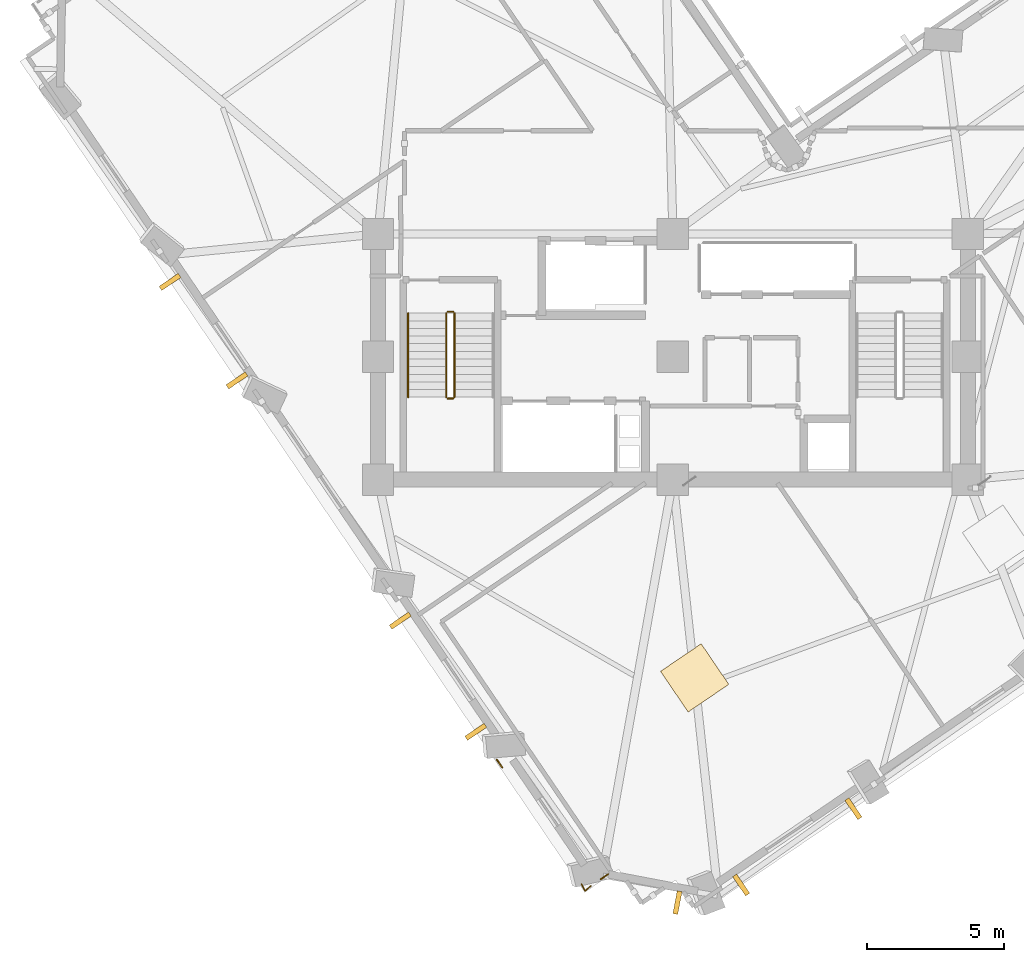
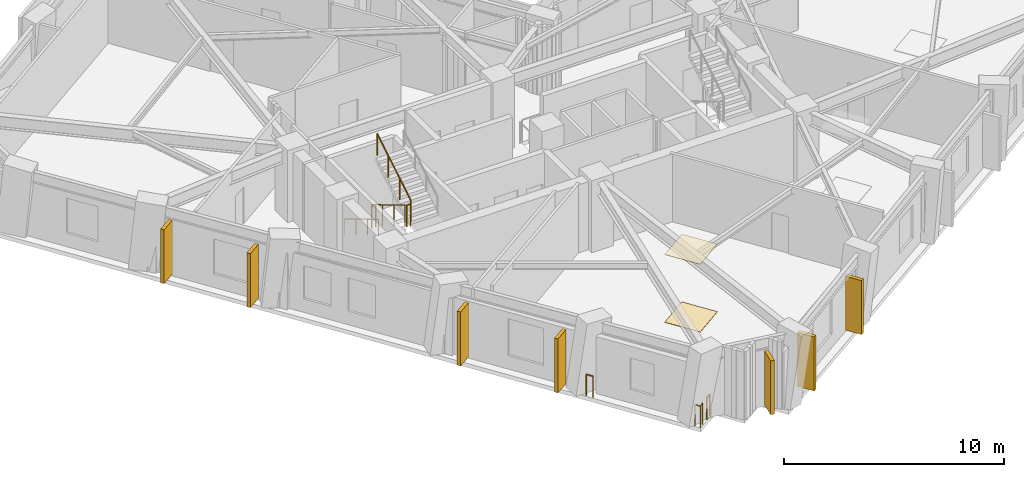
# One storey, part 12 of 16: 8 railings, 7 shading devices, 2 coverings.
"""IFC4 building model written with IfcOpenShell, lengths in metres."""

from ifc_helpers import new_model, si_unit, direction, frame, origin, origin_2d, place, context, subcontext, project, spatial, rectangle, circle, extrude, material, layer, layer_set, type_object, element, save


model = new_model("IFC4")

# Units and contexts
model_context = context("Model", 3, precision=1e-05, world=origin(), true_north=direction((0.0, 1.0)))
body_context = subcontext(model_context, "Body", "Model", "MODEL_VIEW")
ifc_project = project(units=[si_unit("LENGTHUNIT", "METRE"), si_unit("AREAUNIT", "SQUARE_METRE"), si_unit("VOLUMEUNIT", "CUBIC_METRE"), si_unit("PLANEANGLEUNIT", "RADIAN"), si_unit("MASSUNIT", "GRAM", prefix="KILO")], contexts=[model_context])

# Site, building, storey
site_placement = place(None, origin())
site = spatial("IfcSite", under=ifc_project, at=site_placement, CompositionType="ELEMENT")
building_placement = place(site_placement, origin())
building = spatial("IfcBuilding", under=site, at=building_placement, Name="Gaonmaruhae Medical Tower", CompositionType="ELEMENT")
storey_placement = place(building_placement, frame((0.0, 0.0, 169.800048828125)))
storey = spatial("IfcBuildingStorey", under=building, at=storey_placement, Name="L40", CompositionType="ELEMENT", Elevation=169.800048828125)

# Coverings
ifc_material_1 = material(Name="Acoustic mineral ceiling tile", Category="finish")
ifc_layer_1 = layer(ifc_material_1, 0.02490234375)
ifc_layer_set_1 = layer_set([ifc_layer_1], Name="Acoustic mineral ceiling tile")
covering_type_1 = type_object("IfcCoveringType", Name="CLG-01 Antimicrobial Acoustic Mineral Ceiling", PredefinedType="CEILING", material=ifc_layer_set_1)
covering_1_placement = place(storey_placement, frame((25.59619140625, 0.54150390625, 3.7548828125), z_axis=(0.0, 0.0, 1.0), x_axis=(0.827080574275, 0.562083377852, 0.0)))
element("IfcCovering", 1, at=covering_1_placement, inside=storey, type_object=covering_type_1, Name="L40 Clinical Room Acoustic Ceiling 2", PredefinedType="CEILING", context=body_context, shape_type="SweptSolid", body=[
    extrude(rectangle(XDim=1.800048828125, YDim=1.800048828125, at=origin_2d()), origin(), (0.0, 0.0, 1.0), 0.02490234375),
])
ifc_material_2 = material(Name="Seamless clinical vinyl flooring", Category="finish")
ifc_layer_2 = layer(ifc_material_2, 0.014892578125)
ifc_layer_set_2 = layer_set([ifc_layer_2], Name="Seamless clinical vinyl flooring")
covering_type_2 = type_object("IfcCoveringType", Name="FLR-01 Seamless Clinical Antistatic Vinyl Flooring", PredefinedType="FLOORING", material=ifc_layer_set_2)
covering_2_placement = place(storey_placement, frame((25.59619140625, 0.54150390625, 0.0), z_axis=(0.0, 0.0, 1.0), x_axis=(0.827080574275, 0.562083377852, 0.0)))
element("IfcCovering", 2, at=covering_2_placement, inside=storey, type_object=covering_type_2, Name="L40 Clinical Room Vinyl Flooring 2", PredefinedType="FLOORING", context=body_context, shape_type="SweptSolid", body=[
    extrude(rectangle(XDim=1.800048828125, YDim=1.800048828125, at=origin_2d()), origin(), (0.0, 0.0, 1.0), 0.014892578125),
])

# Railings
ifc_material_3 = material(Name="Stainless steel 316L and laminated safety glass", Category="steel")
ifc_layer_3 = layer(ifc_material_3, 0.080078125)
ifc_layer_set_3 = layer_set([ifc_layer_3], Name="Stainless steel 316L and laminated safety glass")
railing_type_1 = type_object("IfcRailingType", Name="GD-120 Outdoor Terrace Safety Glass & Steel Balustrade", PredefinedType="BALUSTRADE", material=ifc_layer_set_3)
railing_1_placement = place(storey_placement, frame((22.4248046875, -6.649658203125, 0.0)))
element("IfcRailing", 3, at=railing_1_placement, inside=storey, type_object=railing_type_1, Name="L40 Perimeter Slab Edge Safety Balustrade 03", PredefinedType="BALUSTRADE", context=body_context, shape_type="SweptSolid", body=[
    extrude(circle(Radius=0.02392578125, at=origin_2d()), frame((0.0, 0.0, 1.17578125), z_axis=(-0.82695431478, -0.562269118187, 0.0), x_axis=(0.562269118187, -0.82695431478, 0.0)), (0.0, 0.0, 1.0), 0.326416015625),
    extrude(circle(Radius=0.02099609375, at=origin_2d()), origin(), (0.0, 0.0, 1.0), 1.15185546875),
    extrude(circle(Radius=0.02099609375, at=origin_2d()), frame((-0.27001953125, -0.18359375, 0.0)), (0.0, 0.0, 1.0), 1.15185546875),
])
railing_2_placement = place(storey_placement, frame((18.5458984375, -2.73876953125, 0.0)))
element("IfcRailing", 4, at=railing_2_placement, inside=storey, type_object=railing_type_1, Name="L40 Perimeter Slab Edge Safety Balustrade 04", PredefinedType="BALUSTRADE", context=body_context, shape_type="SweptSolid", body=[
    extrude(circle(Radius=0.02392578125, at=origin_2d()), frame((0.0, 0.0, 1.17578125), z_axis=(-0.562310021407, 0.82692650207, 0.0), x_axis=(-0.82692650207, -0.562310021407, 0.0)), (0.0, 0.0, 1.0), 0.339599609375),
    extrude(circle(Radius=0.02099609375, at=origin_2d()), origin(), (0.0, 0.0, 1.0), 1.15185546875),
    extrude(circle(Radius=0.02099609375, at=origin_2d()), frame((-0.19091796875, 0.28076171875, 0.0)), (0.0, 0.0, 1.0), 1.15185546875),
])
railing_3_placement = place(storey_placement, frame((21.79638671875, -7.07666015625, 0.0)))
element("IfcRailing", 5, at=railing_3_placement, inside=storey, type_object=railing_type_1, Name="L40 Perimeter Corner Safety Balustrade 08", PredefinedType="BALUSTRADE", context=body_context, shape_type="SweptSolid", body=[
    extrude(circle(Radius=0.02392578125, at=origin_2d()), frame((0.0, 0.0, 1.17578125), z_axis=(-0.752313338045, -0.65880546552, 0.0), x_axis=(0.65880546552, -0.752313338045, 0.0)), (0.0, 0.0, 1.0), 0.287109375),
    extrude(circle(Radius=0.02392578125, at=origin_2d()), frame((-0.216064453125, -0.189208984375, 1.17578125), z_axis=(-0.457386431333, 0.889268043074, 0.0), x_axis=(-0.889268043074, -0.457386431333, 0.0)), (0.0, 0.0, 1.0), 0.287109375),
    extrude(circle(Radius=0.02099609375, at=origin_2d()), origin(), (0.0, 0.0, 1.0), 1.15185546875),
    extrude(circle(Radius=0.02099609375, at=origin_2d()), frame((-0.216064453125, -0.189208984375, 0.0)), (0.0, 0.0, 1.0), 1.15185546875),
    extrude(circle(Radius=0.02099609375, at=origin_2d()), frame((-0.347412109375, 0.066162109375, 0.0)), (0.0, 0.0, 1.0), 1.15185546875),
])
ifc_material_4 = material(Name="Stainless steel 304 handrail", Category="steel")
railing_type_2 = type_object("IfcRailingType", Name="HR-092 Continuous Stainless Steel Stair Handrail", PredefinedType="HANDRAIL", material=ifc_material_4)
railing_4_placement = place(storey_placement, frame((15.10009765625, 13.89990234375, 0.16650390625)))
element("IfcRailing", 6, at=railing_4_placement, inside=storey, type_object=railing_type_2, Name="L40 ST-01 stair handrail 1", PredefinedType="HANDRAIL", context=body_context, shape_type="SweptSolid", body=[
    extrude(circle(Radius=0.02392578125, at=origin_2d()), frame((0.0, 0.0, 0.8759765625), z_axis=(0.0, -0.859260807169, 0.511537745687), x_axis=(1.0, 0.0, 0.0)), (0.0, 0.0, 1.0), 3.584228515625),
    extrude(circle(Radius=0.02099609375, at=origin_2d()), origin(), (0.0, 0.0, 1.0), 0.851806640625),
    extrude(circle(Radius=0.02099609375, at=origin_2d()), frame((0.0, -1.026611328125, 0.611083984375)), (0.0, 0.0, 1.0), 0.851806640625),
    extrude(circle(Radius=0.02099609375, at=origin_2d()), frame((0.0, -2.05322265625, 1.222412109375)), (0.0, 0.0, 1.0), 0.851806640625),
    extrude(circle(Radius=0.02099609375, at=origin_2d()), frame((0.0, -3.079833984375, 1.83349609375)), (0.0, 0.0, 1.0), 0.851806640625),
])

# Shading devices
ifc_material_5 = material(Name="Pigmented coral precast concrete C45/55", Category="concrete")
shading_device_type = type_object("IfcShadingDeviceType", Name="SD-FIN1 Tower Vertical Coral Precast Shading Fin", PredefinedType="USERDEFINED", material=ifc_material_5)
for number, where, z_axis, x_axis, name in (
    (7, (31.4091796875, -4.24951171875, 0.08251953125), (0.0, 0.0, 1.0), (-0.827070763943, -0.562097813046, 0.0), "L40 Vertical Coral Precast Shading Fin S01"),
    (8, (27.298828125, -7.043212890625, 0.08251953125), (0.0, 0.0, 1.0), (-0.827070763943, -0.562097813046, 0.0), "L40 Vertical Coral Precast Shading Fin S01B"),
    (9, (8.833740234375, 11.436767578125, 0.08251953125), (0.0, 0.0, 1.0), (-0.562097813046, 0.827070763943, 0.0), "L40 Vertical Coral Precast Shading Fin W02"),
    (10, (6.381591796875, 15.044677734375, 0.08251953125), (0.0, 0.0, 1.0), (-0.562097813046, 0.827070763943, 0.0), "L40 Vertical Coral Precast Shading Fin W02B"),
    (11, (17.580810546875, -1.434326171875, 0.08251953125), (0.0, 0.0, 1.0), (-0.562083377852, 0.827080574275, 0.0), "L40 Vertical Coral Precast Shading Fin W04"),
    (12, (14.8134765625, 2.637939453125, 0.08251953125), (0.0, 0.0, 1.0), (-0.562083377852, 0.827080574275, 0.0), "L40 Vertical Coral Precast Shading Fin W04B"),
    (13, (24.96630859375, -7.689208984375, 0.08251953125), (0.0, 0.0, 1.0), (-0.982283980158, 0.187398458704, 0.0), "L40 Vertical Coral Precast Shading Fin W06"),
):
    element("IfcShadingDevice", number, at=place(storey_placement, frame(where, z_axis=z_axis, x_axis=x_axis)), inside=storey, type_object=shading_device_type, Name=name, ObjectType="FIN", PredefinedType="USERDEFINED", context=body_context, shape_type="SweptSolid", body=[
        extrude(rectangle(XDim=0.179931640625, YDim=0.85009765625, at=origin_2d()), origin(), (0.0, 0.0, 1.0), 3.0),
    ])

# Railings
ifc_material_6 = material(Name="Stainless steel 304 balustrade", Category="steel")
railing_type_3 = type_object("IfcRailingType", Name="SG-112 Stair Well & Ramp Void Safety Balustrade", PredefinedType="BALUSTRADE", material=ifc_material_6)
railing_5_placement = place(storey_placement, frame((16.5, 13.89990234375, 0.16650390625)))
element("IfcRailing", 14, at=railing_5_placement, inside=storey, type_object=railing_type_3, Name="L40 ST-01 stair guard 1", PredefinedType="BALUSTRADE", context=body_context, shape_type="SweptSolid", body=[
    extrude(circle(Radius=0.02392578125, at=origin_2d()), frame((0.0, 0.0, 1.17578125), z_axis=(0.0, -0.859260807169, 0.511537745687), x_axis=(1.0, 0.0, 0.0)), (0.0, 0.0, 1.0), 3.584228515625),
    extrude(circle(Radius=0.02099609375, at=origin_2d()), origin(), (0.0, 0.0, 1.0), 1.15185546875),
    extrude(circle(Radius=0.02099609375, at=origin_2d()), frame((0.0, -1.026611328125, 0.611083984375)), (0.0, 0.0, 1.0), 1.15185546875),
    extrude(circle(Radius=0.02099609375, at=origin_2d()), frame((0.0, -2.05322265625, 1.222412109375)), (0.0, 0.0, 1.0), 1.15185546875),
    extrude(circle(Radius=0.02099609375, at=origin_2d()), frame((0.0, -3.079833984375, 1.83349609375)), (0.0, 0.0, 1.0), 1.15185546875),
])
railing_6_placement = place(storey_placement, frame((16.550048828125, 10.77001953125, 2.0)))
element("IfcRailing", 15, at=railing_6_placement, inside=storey, type_object=railing_type_3, Name="L40 ST-01 stair guard 2", PredefinedType="BALUSTRADE", context=body_context, shape_type="SweptSolid", body=[
    extrude(circle(Radius=0.02392578125, at=origin_2d()), frame((0.0, 0.0, 1.17578125), z_axis=(1.0, 0.0, 0.0), x_axis=(0.0, 1.0, 0.0)), (0.0, 0.0, 1.0), 0.199951171875),
    extrude(circle(Radius=0.02099609375, at=origin_2d()), origin(), (0.0, 0.0, 1.0), 1.15185546875),
    extrude(circle(Radius=0.02099609375, at=origin_2d()), frame((0.199951171875, 0.0, 0.0)), (0.0, 0.0, 1.0), 1.15185546875),
])
railing_7_placement = place(storey_placement, frame((16.800048828125, 10.820068359375, 2.16650390625)))
element("IfcRailing", 16, at=railing_7_placement, inside=storey, type_object=railing_type_3, Name="L40 ST-01 stair guard 3", PredefinedType="BALUSTRADE", context=body_context, shape_type="SweptSolid", body=[
    extrude(circle(Radius=0.02392578125, at=origin_2d()), frame((0.0, 0.0, 1.17578125), z_axis=(0.0, 0.859260807169, 0.511537745687), x_axis=(-1.0, 0.0, 0.0)), (0.0, 0.0, 1.0), 3.584228515625),
    extrude(circle(Radius=0.02099609375, at=origin_2d()), origin(), (0.0, 0.0, 1.0), 1.15185546875),
    extrude(circle(Radius=0.02099609375, at=origin_2d()), frame((0.0, 1.026611328125, 0.611083984375)), (0.0, 0.0, 1.0), 1.15185546875),
    extrude(circle(Radius=0.02099609375, at=origin_2d()), frame((0.0, 2.05322265625, 1.222412109375)), (0.0, 0.0, 1.0), 1.15185546875),
    extrude(circle(Radius=0.02099609375, at=origin_2d()), frame((0.0, 3.079833984375, 1.83349609375)), (0.0, 0.0, 1.0), 1.15185546875),
])
railing_8_placement = place(storey_placement, frame((16.550048828125, 13.949951171875, 0.0)))
element("IfcRailing", 17, at=railing_8_placement, inside=storey, type_object=railing_type_3, Name="L40 ST-01 stair guard 4", PredefinedType="BALUSTRADE", context=body_context, shape_type="SweptSolid", body=[
    extrude(circle(Radius=0.02392578125, at=origin_2d()), frame((0.0, 0.0, 1.17578125), z_axis=(1.0, 0.0, 0.0), x_axis=(0.0, 1.0, 0.0)), (0.0, 0.0, 1.0), 0.199951171875),
    extrude(circle(Radius=0.02099609375, at=origin_2d()), origin(), (0.0, 0.0, 1.0), 1.15185546875),
    extrude(circle(Radius=0.02099609375, at=origin_2d()), frame((0.199951171875, 0.0, 0.0)), (0.0, 0.0, 1.0), 1.15185546875),
])

save(model, "model.ifc")
